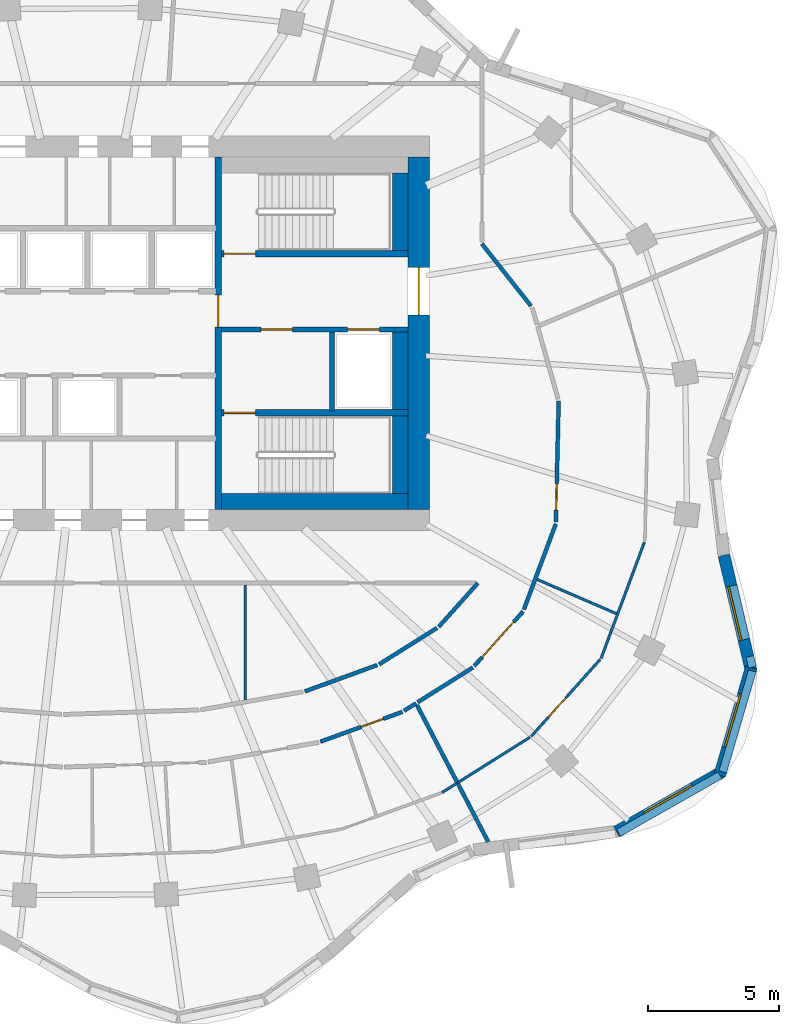
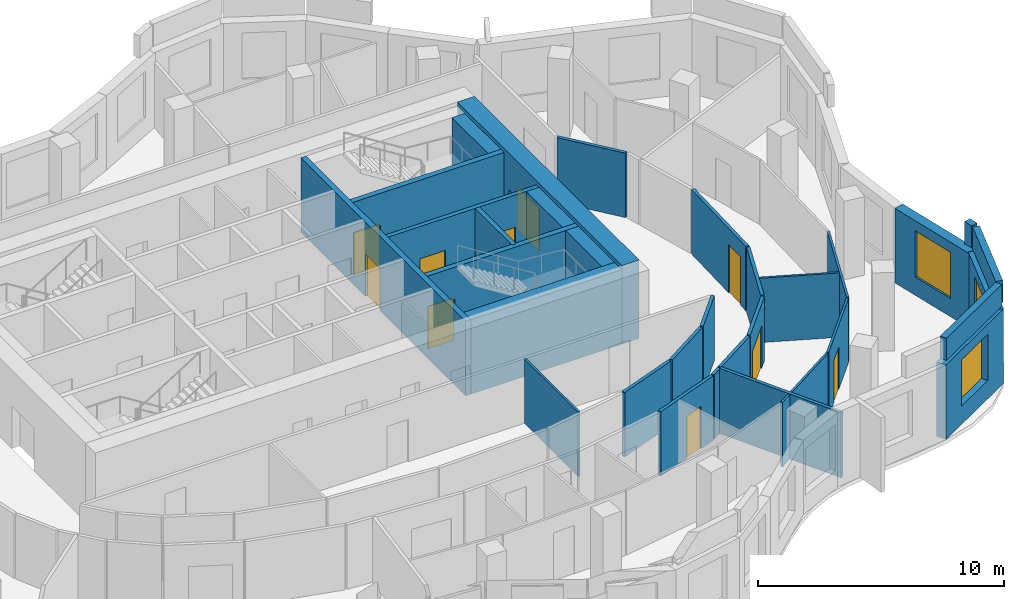
# One storey, part 6 of 10: 33 walls, 10 doors, 3 windows, 13 openings.
"""IFC4 building model written with IfcOpenShell, lengths in metres."""

from ifc_helpers import new_model, si_unit, direction, frame, frame_2d, origin, place, context, subcontext, project, spatial, rectangle, extrude, material, layer, layer_set, type_object, element, fill, save


model = new_model("IFC4")

# Units and contexts
model_context = context("Model", 3, precision=1e-05, world=origin(), true_north=direction((0.0, 1.0)))
body_context = subcontext(model_context, "Body", "Model", "MODEL_VIEW")
ifc_project = project(units=[si_unit("LENGTHUNIT", "METRE"), si_unit("AREAUNIT", "SQUARE_METRE"), si_unit("VOLUMEUNIT", "CUBIC_METRE"), si_unit("PLANEANGLEUNIT", "RADIAN"), si_unit("MASSUNIT", "GRAM", prefix="KILO")], contexts=[model_context])

# Site, building, storey
site_placement = place(None, origin())
site = spatial("IfcSite", under=ifc_project, at=site_placement, CompositionType="ELEMENT")
building_placement = place(site_placement, origin())
building = spatial("IfcBuilding", under=site, at=building_placement, Name="Rubra Terraces Tower", CompositionType="ELEMENT")
storey_placement = place(building_placement, frame((0.0, 0.0, 292.199951171875)))
storey = spatial("IfcBuildingStorey", under=building, at=storey_placement, Name="L72", CompositionType="ELEMENT", Elevation=292.199951171875)

# Wall, opening, window
ifc_material_1 = material(Name="Brick masonry red-brown", Category="masonry")
ifc_layer_1 = layer(ifc_material_1, 0.449951171875)
ifc_layer_set_1 = layer_set([ifc_layer_1], Name="Brick masonry red-brown")
wall_type_1 = type_object("IfcWallType", Name="Brick facade wall 450", PredefinedType="SOLIDWALL", material=ifc_layer_set_1)
wall_1_placement = place(storey_placement, frame((20.115478515625, -14.45458984375, 0.0), z_axis=(0.0, 0.0, 1.0), x_axis=(0.869822679286, 0.493364476427, 0.0)))
wall_1 = element("IfcWall", 1, at=wall_1_placement, inside=storey, type_object=wall_type_1, Name="Facade wall L72 bay 37", PredefinedType="SOLIDWALL", context=body_context, shape_type="SweptSolid", body=[
    extrude(rectangle(XDim=4.63818359375, YDim=0.449951171875, at=frame_2d((2.319091796875, 0.0))), origin(), (0.0, 0.0, 1.0), 3.699951171875),
])
opening_1_placement = place(wall_1_placement, frame((1.26904296875, 0.0, 0.89990234375)))
opening_1 = element("IfcOpeningElement", 2, at=opening_1_placement, cuts=wall_1, Name="Opening W1B", PredefinedType="OPENING", context=body_context, shape_type="SweptSolid", body=[
    extrude(rectangle(XDim=2.10009765625, YDim=2.300048828125, at=frame_2d((1.050048828125, 1.14990234375))), frame((0.0, 0.23486328125, 0.0), z_axis=(0.0, -1.0, 0.0), x_axis=(1.0, 0.0, 0.0)), (0.0, 0.0, 1.0), 0.469970703125),
])
ifc_material_2 = material(Name="Clear glass in aluminium frame", Category="aluminium")
window_type = type_object("IfcWindowType", Name="Fixed deep-set window tall storey 2100 x 2300", PartitioningType="SINGLE_PANEL", PredefinedType="WINDOW", material=ifc_material_2)
window_1_placement = place(opening_1_placement, origin())
window_1 = element("IfcWindow", 3, at=window_1_placement, inside=storey, type_object=window_type, Name="Window L72 bay 37", OverallHeight=2.300048828125, OverallWidth=2.10009765625, PartitioningType="SINGLE_PANEL", PredefinedType="WINDOW", context=body_context, shape_type="SweptSolid", body=[
    extrude(rectangle(XDim=2.10009765625, YDim=2.300048828125, at=frame_2d((1.050048828125, 1.14990234375))), frame((0.0, 0.135009765625, 0.0), z_axis=(0.0, -1.0, 0.0), x_axis=(1.0, 0.0, 0.0)), (0.0, 0.0, 1.0), 0.06005859375),
])
fill(opening_1, window_1)

wall_2_placement = place(storey_placement, frame((24.045166015625, -12.298583984375, 0.0), z_axis=(0.0, 0.0, 1.0), x_axis=(0.281381418228, 0.95959600743, 0.0)))
wall_2 = element("IfcWall", 4, at=wall_2_placement, inside=storey, type_object=wall_type_1, Name="Facade wall L72 bay 38", PredefinedType="SOLIDWALL", context=body_context, shape_type="SweptSolid", body=[
    extrude(rectangle(XDim=4.260986328125, YDim=0.449951171875, at=frame_2d((2.13037109375, 0.0))), origin(), (0.0, 0.0, 1.0), 3.699951171875),
])
opening_2_placement = place(wall_2_placement, frame((1.08056640625, 0.0, 0.89990234375)))
opening_2 = element("IfcOpeningElement", 5, at=opening_2_placement, cuts=wall_2, Name="Opening W1B", PredefinedType="OPENING", context=body_context, shape_type="SweptSolid", body=[
    extrude(rectangle(XDim=2.10009765625, YDim=2.300048828125, at=frame_2d((1.050048828125, 1.14990234375))), frame((0.0, 0.23486328125, 0.0), z_axis=(0.0, -1.0, 0.0), x_axis=(1.0, 0.0, 0.0)), (0.0, 0.0, 1.0), 0.469970703125),
])
window_2_placement = place(opening_2_placement, origin())
window_2 = element("IfcWindow", 6, at=window_2_placement, inside=storey, type_object=window_type, Name="Window L72 bay 38", OverallHeight=2.300048828125, OverallWidth=2.10009765625, PartitioningType="SINGLE_PANEL", PredefinedType="WINDOW", context=body_context, shape_type="SweptSolid", body=[
    extrude(rectangle(XDim=2.10009765625, YDim=2.300048828125, at=frame_2d((1.050048828125, 1.14990234375))), frame((0.0, 0.135009765625, 0.0), z_axis=(0.0, -1.0, 0.0), x_axis=(1.0, 0.0, 0.0)), (0.0, 0.0, 1.0), 0.06005859375),
])
fill(opening_2, window_2)

wall_3_placement = place(storey_placement, frame((25.23974609375, -8.3193359375, 0.0), z_axis=(0.0, 0.0, 1.0), x_axis=(-0.230037604827, 0.973181740666, 0.0)))
wall_3 = element("IfcWall", 7, at=wall_3_placement, inside=storey, type_object=wall_type_1, Name="Facade wall L72 bay 39", PredefinedType="SOLIDWALL", context=body_context, shape_type="SweptSolid", body=[
    extrude(rectangle(XDim=4.497802734375, YDim=0.449951171875, at=frame_2d((2.2490234375, 0.0))), origin(), (0.0, 0.0, 1.0), 3.699951171875),
])
opening_3_placement = place(wall_3_placement, frame((1.198974609375, 0.0, 0.89990234375)))
opening_3 = element("IfcOpeningElement", 8, at=opening_3_placement, cuts=wall_3, Name="Opening W1B", PredefinedType="OPENING", context=body_context, shape_type="SweptSolid", body=[
    extrude(rectangle(XDim=2.10009765625, YDim=2.300048828125, at=frame_2d((1.050048828125, 1.14990234375))), frame((0.0, 0.23486328125, 0.0), z_axis=(0.0, -1.0, 0.0), x_axis=(1.0, 0.0, 0.0)), (0.0, 0.0, 1.0), 0.469970703125),
])
window_3_placement = place(opening_3_placement, origin())
window_3 = element("IfcWindow", 9, at=window_3_placement, inside=storey, type_object=window_type, Name="Window L72 bay 39", OverallHeight=2.300048828125, OverallWidth=2.10009765625, PartitioningType="SINGLE_PANEL", PredefinedType="WINDOW", context=body_context, shape_type="SweptSolid", body=[
    extrude(rectangle(XDim=2.10009765625, YDim=2.300048828125, at=frame_2d((1.050048828125, 1.14990234375))), frame((0.0, 0.135009765625, 0.0), z_axis=(0.0, -1.0, 0.0), x_axis=(1.0, 0.0, 0.0)), (0.0, 0.0, 1.0), 0.06005859375),
])
fill(opening_3, window_3)

# Walls
ifc_layer_2 = layer(ifc_material_1, 0.300048828125)
ifc_layer_set_2 = layer_set([ifc_layer_2], Name="Brick masonry red-brown")
wall_type_2 = type_object("IfcWallType", Name="Brick parapet 300", PredefinedType="PARAPET", material=ifc_layer_set_2)
wall_4_placement = place(storey_placement, frame((20.195068359375, -14.495849609375, 3.900146484375), z_axis=(0.0, 0.0, 1.0), x_axis=(0.86982311217, 0.493363713234, 0.0)))
element("IfcWall", 10, at=wall_4_placement, inside=storey, type_object=wall_type_2, Name="Parapet L72 bay 37", PredefinedType="PARAPET", context=body_context, shape_type="SweptSolid", body=[
    extrude(rectangle(XDim=4.437744140625, YDim=0.300048828125, at=frame_2d((2.21875, 0.0))), origin(), (0.0, 0.0, 1.0), 1.099853515625),
])
wall_5_placement = place(storey_placement, frame((24.15966796875, -12.17431640625, 3.900146484375), z_axis=(0.0, 0.0, 1.0), x_axis=(0.281412876289, 0.959586782453, 0.0)))
element("IfcWall", 11, at=wall_5_placement, inside=storey, type_object=wall_type_2, Name="Parapet L72 bay 38", PredefinedType="PARAPET", context=body_context, shape_type="SweptSolid", body=[
    extrude(rectangle(XDim=4.000244140625, YDim=0.300048828125, at=frame_2d((2.0, 0.0))), origin(), (0.0, 0.0, 1.0), 1.099853515625),
])
wall_6_placement = place(storey_placement, frame((25.288818359375, -8.200927734375, 3.900146484375), z_axis=(0.0, 0.0, 1.0), x_axis=(-0.229581787316, 0.97328937266, 0.0)))
element("IfcWall", 12, at=wall_6_placement, inside=storey, type_object=wall_type_2, Name="Parapet L72 bay 39", PredefinedType="PARAPET", context=body_context, shape_type="SweptSolid", body=[
    extrude(rectangle(XDim=0.426513671875, YDim=0.300048828125, at=frame_2d((0.21337890625, 0.0))), origin(), (0.0, 0.0, 1.0), 1.099853515625),
])

# Wall, opening, door
ifc_material_3 = material(Name="Concrete C50", Category="concrete")
ifc_layer_3 = layer(ifc_material_3, 0.800048828125)
ifc_layer_set_3 = layer_set([ifc_layer_3], Name="Concrete C50")
wall_type_3 = type_object("IfcWallType", Name="CORE WALL 800 C50", PredefinedType="SHEAR", material=ifc_layer_set_3)
wall_7_placement = place(storey_placement, frame((12.60009765625, -2.199951171875, 0.0), z_axis=(0.0, 0.0, 1.0), x_axis=(0.0, 1.0, 0.0)))
wall_7 = element("IfcWall", 13, at=wall_7_placement, inside=storey, type_object=wall_type_3, Name="CORE WALL E L72", PredefinedType="SHEAR", context=body_context, shape_type="SweptSolid", body=[
    extrude(rectangle(XDim=13.39990234375, YDim=0.800048828125, at=frame_2d((6.699951171875, 0.0))), origin(), (0.0, 0.0, 1.0), 3.900146484375),
])
opening_4_placement = place(wall_7_placement, frame((7.39990234375, 0.0, 0.0)))
opening_4 = element("IfcOpeningElement", 14, at=opening_4_placement, cuts=wall_7, Name="Opening L72.C02", PredefinedType="OPENING", context=body_context, shape_type="SweptSolid", body=[
    extrude(rectangle(XDim=1.800048828125, YDim=2.10009765625, at=frame_2d((0.89990234375, 1.050048828125))), frame((0.0, 0.409912109375, 0.0), z_axis=(0.0, -1.0, 0.0), x_axis=(1.0, 0.0, 0.0)), (0.0, 0.0, 1.0), 0.820068359375),
])
ifc_material_4 = material(Name="Painted steel", Category="steel")
door_type_1 = type_object("IfcDoorType", Name="Fire door 1800x2100 double", OperationType="NOTDEFINED", PredefinedType="DOOR", material=ifc_material_4)
door_1_placement = place(opening_4_placement, origin())
door_1 = element("IfcDoor", 15, at=door_1_placement, inside=storey, type_object=door_type_1, Name="Core entrance door FF2", OperationType="DOUBLE_DOOR_SINGLE_SWING", OverallHeight=2.10009765625, OverallWidth=1.800048828125, PredefinedType="DOOR", context=body_context, shape_type="SweptSolid", body=[
    extrude(rectangle(XDim=1.800048828125, YDim=2.10009765625, at=frame_2d((0.89990234375, 1.050048828125))), frame((0.0, 0.02490234375, 0.0), z_axis=(0.0, -1.0, 0.0), x_axis=(1.0, 0.0, 0.0)), (0.0, 0.0, 1.0), 0.050048828125),
])
fill(opening_4, door_1)

ifc_material_5 = material(Name="Plasterboard on steel stud, mineral wool infill", Category="steel")
ifc_layer_4 = layer(ifc_material_5, 0.14990234375)
ifc_layer_set_4 = layer_set([ifc_layer_4], Name="Plasterboard on steel stud, mineral wool infill")
wall_type_4 = type_object("IfcWallType", Name="CORRIDOR PARTITION 150", PredefinedType="PARTITIONING", material=ifc_layer_set_4)
wall_8_placement = place(storey_placement, frame((8.85986328125, -11.030029296875, 0.0), z_axis=(0.0, 0.0, 1.0), x_axis=(0.939685902536, 0.342038601001, 0.0)))
wall_8 = element("IfcWall", 16, at=wall_8_placement, inside=storey, type_object=wall_type_4, Name="PARTITION", PredefinedType="PARTITIONING", context=body_context, shape_type="SweptSolid", body=[
    extrude(rectangle(XDim=3.316162109375, YDim=0.14990234375, at=frame_2d((1.658203125, 0.0))), origin(), (0.0, 0.0, 1.0), 3.197998046875),
])
opening_5_placement = place(wall_8_placement, frame((1.64990234375, 0.0, 0.0)))
opening_5 = element("IfcOpeningElement", 17, at=opening_5_placement, cuts=wall_8, Name="Opening 72-118", PredefinedType="OPENING", context=body_context, shape_type="SweptSolid", body=[
    extrude(rectangle(XDim=0.89990234375, YDim=2.10009765625, at=frame_2d((0.449951171875, 1.050048828125))), frame((0.0, 0.0849609375, 0.0), z_axis=(0.0, -1.0, 0.0), x_axis=(1.0, 0.0, 0.0)), (0.0, 0.0, 1.0), 0.169921875),
])
ifc_material_6 = material(Name="Painted timber door leaf", Category="wood")
door_type_2 = type_object("IfcDoorType", Name="BATHROOM DOOR 900 X 2100", OperationType="SINGLE_SWING_LEFT", PredefinedType="DOOR", material=ifc_material_6)
door_2_placement = place(opening_5_placement, origin())
door_2 = element("IfcDoor", 18, at=door_2_placement, inside=storey, type_object=door_type_2, Name="DOOR 72-118", OperationType="SINGLE_SWING_RIGHT", OverallHeight=2.10009765625, OverallWidth=0.89990234375, PredefinedType="DOOR", context=body_context, shape_type="SweptSolid", body=[
    extrude(rectangle(XDim=0.89990234375, YDim=2.10009765625, at=frame_2d((0.449951171875, 1.050048828125))), frame((0.0, 0.02490234375, 0.0), z_axis=(0.0, -1.0, 0.0), x_axis=(1.0, 0.0, 0.0)), (0.0, 0.0, 1.0), 0.050048828125),
])
fill(opening_5, door_2)

# Walls
wall_9_placement = place(storey_placement, frame((12.03955078125, -9.85595703125, 0.0), z_axis=(0.0, 0.0, 1.0), x_axis=(0.846240393033, 0.532801273647, 0.0)))
element("IfcWall", 19, at=wall_9_placement, inside=storey, type_object=wall_type_4, Name="PARTITION", PredefinedType="PARTITIONING", context=body_context, shape_type="SweptSolid", body=[
    extrude(rectangle(XDim=0.539794921875, YDim=0.14990234375, at=frame_2d((0.27001953125, 0.0))), origin(), (0.0, 0.0, 1.0), 3.197998046875),
])
wall_10_placement = place(storey_placement, frame((12.559814453125, -9.528564453125, 0.0), z_axis=(0.0, 0.0, 1.0), x_axis=(0.846402081662, 0.53254437952, 0.0)))
element("IfcWall", 20, at=wall_10_placement, inside=storey, type_object=wall_type_4, Name="PARTITION", PredefinedType="PARTITIONING", context=body_context, shape_type="SweptSolid", body=[
    extrude(rectangle(XDim=2.480712890625, YDim=0.14990234375, at=frame_2d((1.240234375, 0.0))), origin(), (0.0, 0.0, 1.0), 3.197998046875),
])

# Wall, opening, door
wall_11_placement = place(storey_placement, frame((14.70947265625, -8.151611328125, 0.0), z_axis=(0.0, 0.0, 1.0), x_axis=(0.667275630306, 0.744810870758, 0.0)))
wall_11 = element("IfcWall", 21, at=wall_11_placement, inside=storey, type_object=wall_type_4, Name="PARTITION", PredefinedType="PARTITIONING", context=body_context, shape_type="SweptSolid", body=[
    extrude(rectangle(XDim=2.789794921875, YDim=0.14990234375, at=frame_2d((1.39501953125, 0.0))), origin(), (0.0, 0.0, 1.0), 3.197998046875),
])
opening_6_placement = place(wall_11_placement, frame((0.449951171875, 0.0, 0.0)))
opening_6 = element("IfcOpeningElement", 22, at=opening_6_placement, cuts=wall_11, Name="Opening 72-107", PredefinedType="OPENING", context=body_context, shape_type="SweptSolid", body=[
    extrude(rectangle(XDim=1.800048828125, YDim=2.10009765625, at=frame_2d((0.89990234375, 1.050048828125))), frame((0.0, 0.0849609375, 0.0), z_axis=(0.0, -1.0, 0.0), x_axis=(1.0, 0.0, 0.0)), (0.0, 0.0, 1.0), 0.169921875),
])
ifc_material_7 = material(Name="Painted timber door leaf, double", Category="wood")
door_type_3 = type_object("IfcDoorType", Name="ROOM DOUBLE DOOR 1800 X 2100", OperationType="DOUBLE_DOOR_SINGLE_SWING", PredefinedType="DOOR", material=ifc_material_7)
door_3_placement = place(opening_6_placement, origin())
door_3 = element("IfcDoor", 23, at=door_3_placement, inside=storey, type_object=door_type_3, Name="DOOR 72-107", OperationType="DOUBLE_DOOR_SINGLE_SWING", OverallHeight=2.10009765625, OverallWidth=1.800048828125, PredefinedType="DOOR", context=body_context, shape_type="SweptSolid", body=[
    extrude(rectangle(XDim=1.800048828125, YDim=2.10009765625, at=frame_2d((0.89990234375, 1.050048828125))), frame((0.0, 0.02490234375, 0.0), z_axis=(0.0, -1.0, 0.0), x_axis=(1.0, 0.0, 0.0)), (0.0, 0.0, 1.0), 0.050048828125),
])
fill(opening_6, door_3)

# Wall
wall_12_placement = place(storey_placement, frame((16.597412109375, -6.00341796875, 0.0), z_axis=(0.0, 0.0, 1.0), x_axis=(0.349499455299, 0.936936567088, 0.0)))
element("IfcWall", 24, at=wall_12_placement, inside=storey, type_object=wall_type_4, Name="PARTITION", PredefinedType="PARTITIONING", context=body_context, shape_type="SweptSolid", body=[
    extrude(rectangle(XDim=3.477294921875, YDim=0.14990234375, at=frame_2d((1.73876953125, 0.0))), origin(), (0.0, 0.0, 1.0), 3.197998046875),
])

# Wall, opening, door
wall_13_placement = place(storey_placement, frame((17.814453125, -2.67041015625, 0.0), z_axis=(0.0, 0.0, 1.0), x_axis=(0.023038539091, 0.999734577634, 0.0)))
wall_13 = element("IfcWall", 25, at=wall_13_placement, inside=storey, type_object=wall_type_4, Name="PARTITION", PredefinedType="PARTITIONING", context=body_context, shape_type="SweptSolid", body=[
    extrude(rectangle(XDim=4.59912109375, YDim=0.14990234375, at=frame_2d((2.299560546875, 0.0))), origin(), (0.0, 0.0, 1.0), 3.197998046875),
])
opening_7_placement = place(wall_13_placement, frame((0.449951171875, 0.0, 0.0)))
opening_7 = element("IfcOpeningElement", 26, at=opening_7_placement, cuts=wall_13, Name="Opening 72-109", PredefinedType="OPENING", context=body_context, shape_type="SweptSolid", body=[
    extrude(rectangle(XDim=1.0, YDim=2.39990234375, at=frame_2d((0.5, 1.199951171875))), frame((0.0, 0.0849609375, 0.0), z_axis=(0.0, -1.0, 0.0), x_axis=(1.0, 0.0, 0.0)), (0.0, 0.0, 1.0), 0.169921875),
])
ifc_material_8 = material(Name="Glazed aluminium meeting door leaf", Category="aluminium")
door_type_4 = type_object("IfcDoorType", Name="MEETING ROOM GLAZED DOOR 1000 X 2400", OperationType="SINGLE_SWING_LEFT", PredefinedType="DOOR", material=ifc_material_8)
door_4_placement = place(opening_7_placement, origin())
door_4 = element("IfcDoor", 27, at=door_4_placement, inside=storey, type_object=door_type_4, Name="DOOR 72-109", OperationType="SINGLE_SWING_RIGHT", OverallHeight=2.39990234375, OverallWidth=1.0, PredefinedType="DOOR", context=body_context, shape_type="SweptSolid", body=[
    extrude(rectangle(XDim=1.0, YDim=2.39990234375, at=frame_2d((0.5, 1.199951171875))), frame((0.0, 0.02490234375, 0.0), z_axis=(0.0, -1.0, 0.0), x_axis=(1.0, 0.0, 0.0)), (0.0, 0.0, 1.0), 0.050048828125),
])
fill(opening_7, door_4)

# Walls
wall_14_placement = place(storey_placement, frame((16.869873046875, 5.53857421875, 0.0), z_axis=(0.0, 0.0, 1.0), x_axis=(-0.620093074114, 0.784528252796, 0.0)))
element("IfcWall", 28, at=wall_14_placement, inside=storey, type_object=wall_type_4, Name="PARTITION", PredefinedType="PARTITIONING", context=body_context, shape_type="SweptSolid", body=[
    extrude(rectangle(XDim=3.015380859375, YDim=0.14990234375, at=frame_2d((1.5078125, 0.0))), origin(), (0.0, 0.0, 1.0), 3.197998046875),
])
wall_15_placement = place(storey_placement, frame((14.847900390625, -5.0, 0.0), z_axis=(0.0, 0.0, 1.0), x_axis=(-0.667363249373, -0.744732363595, 0.0)))
element("IfcWall", 29, at=wall_15_placement, inside=storey, type_object=wall_type_4, Name="PARTITION", PredefinedType="PARTITIONING", context=body_context, shape_type="SweptSolid", body=[
    extrude(rectangle(XDim=2.234130859375, YDim=0.14990234375, at=frame_2d((1.1171875, 0.0))), origin(), (0.0, 0.0, 1.0), 3.197998046875),
])
wall_16_placement = place(storey_placement, frame((13.29345703125, -6.703857421875, 0.0), z_axis=(0.0, 0.0, 1.0), x_axis=(-0.84641299998, -0.532527026041, 0.0)))
element("IfcWall", 30, at=wall_16_placement, inside=storey, type_object=wall_type_4, Name="PARTITION", PredefinedType="PARTITIONING", context=body_context, shape_type="SweptSolid", body=[
    extrude(rectangle(XDim=2.601806640625, YDim=0.14990234375, at=frame_2d((1.30078125, 0.0))), origin(), (0.0, 0.0, 1.0), 3.197998046875),
])
wall_17_placement = place(storey_placement, frame((11.02099609375, -8.114990234375, 0.0), z_axis=(0.0, 0.0, 1.0), x_axis=(-0.939683845313, -0.342044252778, 0.0)))
element("IfcWall", 31, at=wall_17_placement, inside=storey, type_object=wall_type_4, Name="PARTITION", PredefinedType="PARTITIONING", context=body_context, shape_type="SweptSolid", body=[
    extrude(rectangle(XDim=2.9287109375, YDim=0.14990234375, at=frame_2d((1.46435546875, 0.0))), origin(), (0.0, 0.0, 1.0), 3.197998046875),
])
ifc_material_9 = material(Name="Concrete C40", Category="concrete")
ifc_layer_5 = layer(ifc_material_9, 0.60009765625)
ifc_layer_set_5 = layer_set([ifc_layer_5], Name="Concrete C40")
wall_type_5 = type_object("IfcWallType", Name="Core lining wall 600 concrete", PredefinedType="SOLIDWALL", material=ifc_layer_set_5)
wall_18_placement = place(storey_placement, frame((11.89990234375, 10.60009765625, 0.0), z_axis=(0.0, 0.0, 1.0), x_axis=(0.0, -1.0, 0.0)))
element("IfcWall", 32, at=wall_18_placement, inside=storey, type_object=wall_type_5, Name="CORE LINING WALL L72", PredefinedType="SOLIDWALL", context=body_context, shape_type="SweptSolid", body=[
    extrude(rectangle(XDim=2.9501953125, YDim=0.60009765625, at=frame_2d((1.47509765625, 0.0))), origin(), (0.0, 0.0, 1.0), 3.699951171875),
])
wall_19_placement = place(storey_placement, frame((11.89990234375, 4.550048828125, 0.0), z_axis=(0.0, 0.0, 1.0), x_axis=(0.0, -1.0, 0.0)))
element("IfcWall", 33, at=wall_19_placement, inside=storey, type_object=wall_type_5, Name="CORE LINING WALL L72", PredefinedType="SOLIDWALL", context=body_context, shape_type="SweptSolid", body=[
    extrude(rectangle(XDim=3.0, YDim=0.60009765625, at=frame_2d((1.5, 0.0))), origin(), (0.0, 0.0, 1.0), 3.699951171875),
])
wall_20_placement = place(storey_placement, frame((11.89990234375, 1.35009765625, 0.0), z_axis=(0.0, 0.0, 1.0), x_axis=(0.0, -1.0, 0.0)))
element("IfcWall", 34, at=wall_20_placement, inside=storey, type_object=wall_type_5, Name="CORE LINING WALL L72", PredefinedType="SOLIDWALL", context=body_context, shape_type="SweptSolid", body=[
    extrude(rectangle(XDim=2.9501953125, YDim=0.60009765625, at=frame_2d((1.47509765625, 0.0))), origin(), (0.0, 0.0, 1.0), 3.699951171875),
])
wall_21_placement = place(storey_placement, frame((12.199951171875, -1.89990234375, 0.0), z_axis=(0.0, 0.0, 1.0), x_axis=(-1.0, 0.0, 0.0)))
element("IfcWall", 35, at=wall_21_placement, inside=storey, type_object=wall_type_5, Name="CORE LINING WALL L72", PredefinedType="SOLIDWALL", context=body_context, shape_type="SweptSolid", body=[
    extrude(rectangle(XDim=7.099853515625, YDim=0.60009765625, at=frame_2d((3.5498046875, 0.0))), origin(), (0.0, 0.0, 1.0), 3.699951171875),
])

# Wall, openings, doors
ifc_material_10 = material(Name="Concrete C30", Category="concrete")
ifc_layer_6 = layer(ifc_material_10, 0.199951171875)
ifc_layer_set_6 = layer_set([ifc_layer_6], Name="Concrete C30")
wall_type_6 = type_object("IfcWallType", Name="Core wall 200 concrete", PredefinedType="SOLIDWALL", material=ifc_layer_set_6)
wall_22_placement = place(storey_placement, frame((12.199951171875, 4.64990234375, 0.0), z_axis=(0.0, 0.0, 1.0), x_axis=(-1.0, 0.0, 0.0)))
wall_22 = element("IfcWall", 36, at=wall_22_placement, inside=storey, type_object=wall_type_6, Name="STAIR WALL L72", PredefinedType="SOLIDWALL", context=body_context, shape_type="SweptSolid", body=[
    extrude(rectangle(XDim=7.099853515625, YDim=0.199951171875, at=frame_2d((3.5498046875, 0.0))), origin(), (0.0, 0.0, 1.0), 3.699951171875),
])
opening_8_placement = place(wall_22_placement, frame((4.39990234375, 0.0, 0.0)))
opening_8 = element("IfcOpeningElement", 37, at=opening_8_placement, cuts=wall_22, Name="Opening L72.C06", PredefinedType="OPENING", context=body_context, shape_type="SweptSolid", body=[
    extrude(rectangle(XDim=1.199951171875, YDim=2.10009765625, at=frame_2d((0.60009765625, 1.050048828125))), frame((0.0, 0.10986328125, 0.0), z_axis=(0.0, -1.0, 0.0), x_axis=(1.0, 0.0, 0.0)), (0.0, 0.0, 1.0), 0.219970703125),
])
opening_9_placement = place(wall_22_placement, frame((1.10009765625, 0.0, 0.0)))
opening_9 = element("IfcOpeningElement", 38, at=opening_9_placement, cuts=wall_22, Name="Opening L72.C12", PredefinedType="OPENING", context=body_context, shape_type="SweptSolid", body=[
    extrude(rectangle(XDim=1.199951171875, YDim=2.10009765625, at=frame_2d((0.60009765625, 1.050048828125))), frame((0.0, 0.10986328125, 0.0), z_axis=(0.0, -1.0, 0.0), x_axis=(1.0, 0.0, 0.0)), (0.0, 0.0, 1.0), 0.219970703125),
])
door_type_5 = type_object("IfcDoorType", Name="Fire door 1200x2100 single", OperationType="NOTDEFINED", PredefinedType="DOOR", material=ifc_material_4)
door_5_placement = place(opening_8_placement, origin())
door_5 = element("IfcDoor", 39, at=door_5_placement, inside=storey, type_object=door_type_5, Name="Stair vestibule door S4", OperationType="SINGLE_SWING_RIGHT", OverallHeight=2.10009765625, OverallWidth=1.199951171875, PredefinedType="DOOR", context=body_context, shape_type="SweptSolid", body=[
    extrude(rectangle(XDim=1.199951171875, YDim=2.10009765625, at=frame_2d((0.60009765625, 1.050048828125))), frame((0.0, 0.02490234375, 0.0), z_axis=(0.0, -1.0, 0.0), x_axis=(1.0, 0.0, 0.0)), (0.0, 0.0, 1.0), 0.050048828125),
])
fill(opening_8, door_5)
ifc_material_11 = material(Name="Stainless steel", Category="steel")
door_type_6 = type_object("IfcDoorType", Name="Lift landing door 1200x2100", OperationType="NOTDEFINED", PredefinedType="DOOR", material=ifc_material_11)
door_6_placement = place(opening_9_placement, origin())
door_6 = element("IfcDoor", 40, at=door_6_placement, inside=storey, type_object=door_type_6, Name="Landing door FF2", OperationType="SLIDING_TO_RIGHT", OverallHeight=2.10009765625, OverallWidth=1.199951171875, PredefinedType="DOOR", context=body_context, shape_type="SweptSolid", body=[
    extrude(rectangle(XDim=1.199951171875, YDim=2.10009765625, at=frame_2d((0.60009765625, 1.050048828125))), frame((0.0, 0.02490234375, 0.0), z_axis=(0.0, -1.0, 0.0), x_axis=(1.0, 0.0, 0.0)), (0.0, 0.0, 1.0), 0.050048828125),
])
fill(opening_9, door_6)

# Walls
wall_23_placement = place(storey_placement, frame((9.300048828125, 4.550048828125, 0.0), z_axis=(0.0, 0.0, 1.0), x_axis=(0.0, -1.0, 0.0)))
element("IfcWall", 41, at=wall_23_placement, inside=storey, type_object=wall_type_6, Name="STAIR WALL L72", PredefinedType="SOLIDWALL", context=body_context, shape_type="SweptSolid", body=[
    extrude(rectangle(XDim=3.0, YDim=0.199951171875, at=frame_2d((1.5, 0.0))), origin(), (0.0, 0.0, 1.0), 3.699951171875),
])
ifc_material_12 = material(Name="Plasterboard on steel stud", Category="steel")
ifc_layer_7 = layer(ifc_material_12, 0.10009765625)
ifc_layer_set_7 = layer_set([ifc_layer_7], Name="Plasterboard on steel stud")
wall_type_7 = type_object("IfcWallType", Name="ROOM PARTITION 100", PredefinedType="PARTITIONING", material=ifc_layer_set_7)
wall_24_placement = place(storey_placement, frame((14.055908203125, -12.604248046875, 0.0), z_axis=(0.0, 0.0, 1.0), x_axis=(-0.846544184051, -0.532318461496, 0.0)))
element("IfcWall", 42, at=wall_24_placement, inside=storey, type_object=wall_type_7, Name="PARTITION", PredefinedType="PARTITIONING", context=body_context, shape_type="SweptSolid", body=[
    extrude(rectangle(XDim=0.6806640625, YDim=0.10009765625, at=frame_2d((0.34033203125, 0.0))), origin(), (0.0, 0.0, 1.0), 3.197998046875),
])
wall_25_placement = place(storey_placement, frame((21.180908203125, -3.443359375, 0.0), z_axis=(0.0, 0.0, 1.0), x_axis=(-0.349438657616, -0.936959243811, 0.0)))
element("IfcWall", 43, at=wall_25_placement, inside=storey, type_object=wall_type_7, Name="PARTITION", PredefinedType="PARTITIONING", context=body_context, shape_type="SweptSolid", body=[
    extrude(rectangle(XDim=4.718017578125, YDim=0.10009765625, at=frame_2d((2.35888671875, 0.0))), origin(), (0.0, 0.0, 1.0), 3.197998046875),
])

# Wall, opening, door
wall_26_placement = place(storey_placement, frame((19.498779296875, -7.9013671875, 0.0), z_axis=(0.0, 0.0, 1.0), x_axis=(-0.667320762971, -0.744770433964, 0.0)))
wall_26 = element("IfcWall", 44, at=wall_26_placement, inside=storey, type_object=wall_type_7, Name="PARTITION", PredefinedType="PARTITIONING", context=body_context, shape_type="SweptSolid", body=[
    extrude(rectangle(XDim=3.93408203125, YDim=0.10009765625, at=frame_2d((1.967041015625, 0.0))), origin(), (0.0, 0.0, 1.0), 3.197998046875),
])
opening_10_placement = place(wall_26_placement, frame((1.949951171875, 0.0, 0.0)))
opening_10 = element("IfcOpeningElement", 45, at=opening_10_placement, cuts=wall_26, Name="Opening 72-108", PredefinedType="OPENING", context=body_context, shape_type="SweptSolid", body=[
    extrude(rectangle(XDim=1.0, YDim=2.10009765625, at=frame_2d((0.5, 1.050048828125))), frame((0.0, 0.06005859375, 0.0), z_axis=(0.0, -1.0, 0.0), x_axis=(1.0, 0.0, 0.0)), (0.0, 0.0, 1.0), 0.1201171875),
])
door_type_7 = type_object("IfcDoorType", Name="ROOM DOOR 1000 X 2100", OperationType="SINGLE_SWING_LEFT", PredefinedType="DOOR", material=ifc_material_6)
door_7_placement = place(opening_10_placement, origin())
door_7 = element("IfcDoor", 46, at=door_7_placement, inside=storey, type_object=door_type_7, Name="DOOR 72-108", OperationType="SINGLE_SWING_RIGHT", OverallHeight=2.10009765625, OverallWidth=1.0, PredefinedType="DOOR", context=body_context, shape_type="SweptSolid", body=[
    extrude(rectangle(XDim=1.0, YDim=2.10009765625, at=frame_2d((0.5, 1.050048828125))), frame((0.0, 0.02490234375, 0.0), z_axis=(0.0, -1.0, 0.0), x_axis=(1.0, 0.0, 0.0)), (0.0, 0.0, 1.0), 0.050048828125),
])
fill(opening_10, door_7)

# Walls
wall_27_placement = place(storey_placement, frame((16.831298828125, -10.85791015625, 0.0), z_axis=(0.0, 0.0, 1.0), x_axis=(-0.846427876971, -0.532503379413, 0.0)))
element("IfcWall", 47, at=wall_27_placement, inside=storey, type_object=wall_type_7, Name="PARTITION", PredefinedType="PARTITIONING", context=body_context, shape_type="SweptSolid", body=[
    extrude(rectangle(XDim=3.2392578125, YDim=0.10009765625, at=frame_2d((1.61962890625, 0.0))), origin(), (0.0, 0.0, 1.0), 3.197998046875),
])
wall_28_placement = place(storey_placement, frame((17.103759765625, -4.860107421875, 0.0), z_axis=(0.0, 0.0, 1.0), x_axis=(0.918346015078, -0.395778469084, 0.0)))
element("IfcWall", 48, at=wall_28_placement, inside=storey, type_object=wall_type_7, Name="PARTITION", PredefinedType="PARTITIONING", context=body_context, shape_type="SweptSolid", body=[
    extrude(rectangle(XDim=3.279296875, YDim=0.10009765625, at=frame_2d((1.6396484375, 0.0))), origin(), (0.0, 0.0, 1.0), 3.197998046875),
])
wall_29_placement = place(storey_placement, frame((6.0, -9.443603515625, 0.0), z_axis=(0.0, 0.0, 1.0), x_axis=(0.0, 1.0, 0.0)))
element("IfcWall", 49, at=wall_29_placement, inside=storey, type_object=wall_type_7, Name="PARTITION", PredefinedType="PARTITIONING", context=body_context, shape_type="SweptSolid", body=[
    extrude(rectangle(XDim=4.36865234375, YDim=0.10009765625, at=frame_2d((2.184326171875, 0.0))), origin(), (0.0, 0.0, 1.0), 3.197998046875),
])
ifc_layer_8 = layer(ifc_material_12, 0.14990234375)
ifc_layer_set_8 = layer_set([ifc_layer_8], Name="Plasterboard on steel stud")
wall_type_8 = type_object("IfcWallType", Name="ROOM PARTITION 150", PredefinedType="PARTITIONING", material=ifc_layer_set_8)
wall_30_placement = place(storey_placement, frame((15.243896484375, -14.841064453125, 0.0), z_axis=(0.0, 0.0, 1.0), x_axis=(-0.462122511499, 0.886816093881, 0.0)))
element("IfcWall", 50, at=wall_30_placement, inside=storey, type_object=wall_type_8, Name="PARTITION", PredefinedType="PARTITIONING", context=body_context, shape_type="SweptSolid", body=[
    extrude(rectangle(XDim=5.87060546875, YDim=0.14990234375, at=frame_2d((2.935302734375, 0.0))), origin(), (0.0, 0.0, 1.0), 3.234130859375),
])

# Wall, opening, door
ifc_layer_9 = layer(ifc_material_9, 0.25)
ifc_layer_set_9 = layer_set([ifc_layer_9], Name="Concrete C40")
wall_type_9 = type_object("IfcWallType", Name="Stair enclosure wall 250 concrete", PredefinedType="SOLIDWALL", material=ifc_layer_set_9)
wall_31_placement = place(storey_placement, frame((12.199951171875, 7.52490234375, 0.0), z_axis=(0.0, 0.0, 1.0), x_axis=(-1.0, 0.0, 0.0)))
wall_31 = element("IfcWall", 51, at=wall_31_placement, inside=storey, type_object=wall_type_9, Name="STAIR WALL L72", PredefinedType="SOLIDWALL", context=body_context, shape_type="SweptSolid", body=[
    extrude(rectangle(XDim=7.099853515625, YDim=0.25, at=frame_2d((3.5498046875, 0.0))), origin(), (0.0, 0.0, 1.0), 3.699951171875),
])
opening_11_placement = place(wall_31_placement, frame((5.800048828125, 0.0, 0.0)))
opening_11 = element("IfcOpeningElement", 52, at=opening_11_placement, cuts=wall_31, Name="Opening L72.C08", PredefinedType="OPENING", context=body_context, shape_type="SweptSolid", body=[
    extrude(rectangle(XDim=1.199951171875, YDim=2.10009765625, at=frame_2d((0.60009765625, 1.050048828125))), frame((0.0, 0.135009765625, 0.0), z_axis=(0.0, -1.0, 0.0), x_axis=(1.0, 0.0, 0.0)), (0.0, 0.0, 1.0), 0.27001953125),
])
door_8_placement = place(opening_11_placement, origin())
door_8 = element("IfcDoor", 53, at=door_8_placement, inside=storey, type_object=door_type_5, Name="Stair door S3", OperationType="SINGLE_SWING_RIGHT", OverallHeight=2.10009765625, OverallWidth=1.199951171875, PredefinedType="DOOR", context=body_context, shape_type="SweptSolid", body=[
    extrude(rectangle(XDim=1.199951171875, YDim=2.10009765625, at=frame_2d((0.60009765625, 1.050048828125))), frame((0.0, 0.02490234375, 0.0), z_axis=(0.0, -1.0, 0.0), x_axis=(1.0, 0.0, 0.0)), (0.0, 0.0, 1.0), 0.050048828125),
])
fill(opening_11, door_8)

wall_32_placement = place(storey_placement, frame((12.199951171875, 1.47509765625, 0.0), z_axis=(0.0, 0.0, 1.0), x_axis=(-1.0, 0.0, 0.0)))
wall_32 = element("IfcWall", 54, at=wall_32_placement, inside=storey, type_object=wall_type_9, Name="STAIR WALL L72", PredefinedType="SOLIDWALL", context=body_context, shape_type="SweptSolid", body=[
    extrude(rectangle(XDim=7.099853515625, YDim=0.25, at=frame_2d((3.5498046875, 0.0))), origin(), (0.0, 0.0, 1.0), 3.699951171875),
])
opening_12_placement = place(wall_32_placement, frame((5.800048828125, 0.0, 0.0)))
opening_12 = element("IfcOpeningElement", 55, at=opening_12_placement, cuts=wall_32, Name="Opening L72.C10", PredefinedType="OPENING", context=body_context, shape_type="SweptSolid", body=[
    extrude(rectangle(XDim=1.199951171875, YDim=2.10009765625, at=frame_2d((0.60009765625, 1.050048828125))), frame((0.0, 0.135009765625, 0.0), z_axis=(0.0, -1.0, 0.0), x_axis=(1.0, 0.0, 0.0)), (0.0, 0.0, 1.0), 0.27001953125),
])
door_9_placement = place(opening_12_placement, origin())
door_9 = element("IfcDoor", 56, at=door_9_placement, inside=storey, type_object=door_type_5, Name="Stair door S4", OperationType="SINGLE_SWING_RIGHT", OverallHeight=2.10009765625, OverallWidth=1.199951171875, PredefinedType="DOOR", context=body_context, shape_type="SweptSolid", body=[
    extrude(rectangle(XDim=1.199951171875, YDim=2.10009765625, at=frame_2d((0.60009765625, 1.050048828125))), frame((0.0, 0.02490234375, 0.0), z_axis=(0.0, -1.0, 0.0), x_axis=(1.0, 0.0, 0.0)), (0.0, 0.0, 1.0), 0.050048828125),
])
fill(opening_12, door_9)

wall_33_placement = place(storey_placement, frame((4.97509765625, 11.199951171875, 0.0), z_axis=(0.0, 0.0, 1.0), x_axis=(0.0, -1.0, 0.0)))
wall_33 = element("IfcWall", 57, at=wall_33_placement, inside=storey, type_object=wall_type_9, Name="CORE LOBBY WALL L72", PredefinedType="SOLIDWALL", context=body_context, shape_type="SweptSolid", body=[
    extrude(rectangle(XDim=13.39990234375, YDim=0.25, at=frame_2d((6.699951171875, 0.0))), origin(), (0.0, 0.0, 1.0), 3.699951171875),
])
opening_13_placement = place(wall_33_placement, frame((5.25, 0.0, 0.0)))
opening_13 = element("IfcOpeningElement", 58, at=opening_13_placement, cuts=wall_33, Name="Opening L72.C04", PredefinedType="OPENING", context=body_context, shape_type="SweptSolid", body=[
    extrude(rectangle(XDim=1.199951171875, YDim=2.10009765625, at=frame_2d((0.60009765625, 1.050048828125))), frame((0.0, 0.135009765625, 0.0), z_axis=(0.0, -1.0, 0.0), x_axis=(1.0, 0.0, 0.0)), (0.0, 0.0, 1.0), 0.27001953125),
])
door_10_placement = place(opening_13_placement, origin())
door_10 = element("IfcDoor", 59, at=door_10_placement, inside=storey, type_object=door_type_5, Name="Firefighting lobby door FF2", OperationType="SINGLE_SWING_RIGHT", OverallHeight=2.10009765625, OverallWidth=1.199951171875, PredefinedType="DOOR", context=body_context, shape_type="SweptSolid", body=[
    extrude(rectangle(XDim=1.199951171875, YDim=2.10009765625, at=frame_2d((0.60009765625, 1.050048828125))), frame((0.0, 0.02490234375, 0.0), z_axis=(0.0, -1.0, 0.0), x_axis=(1.0, 0.0, 0.0)), (0.0, 0.0, 1.0), 0.050048828125),
])
fill(opening_13, door_10)

save(model, "model.ifc")
